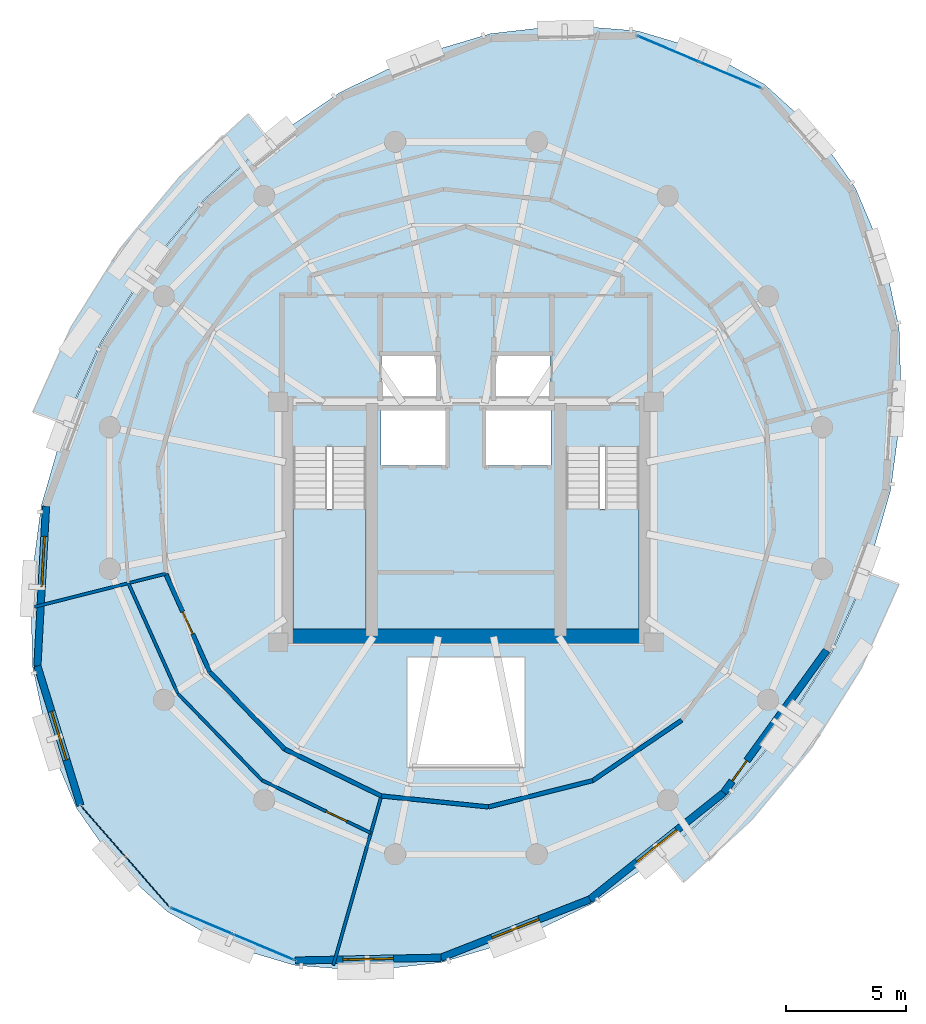
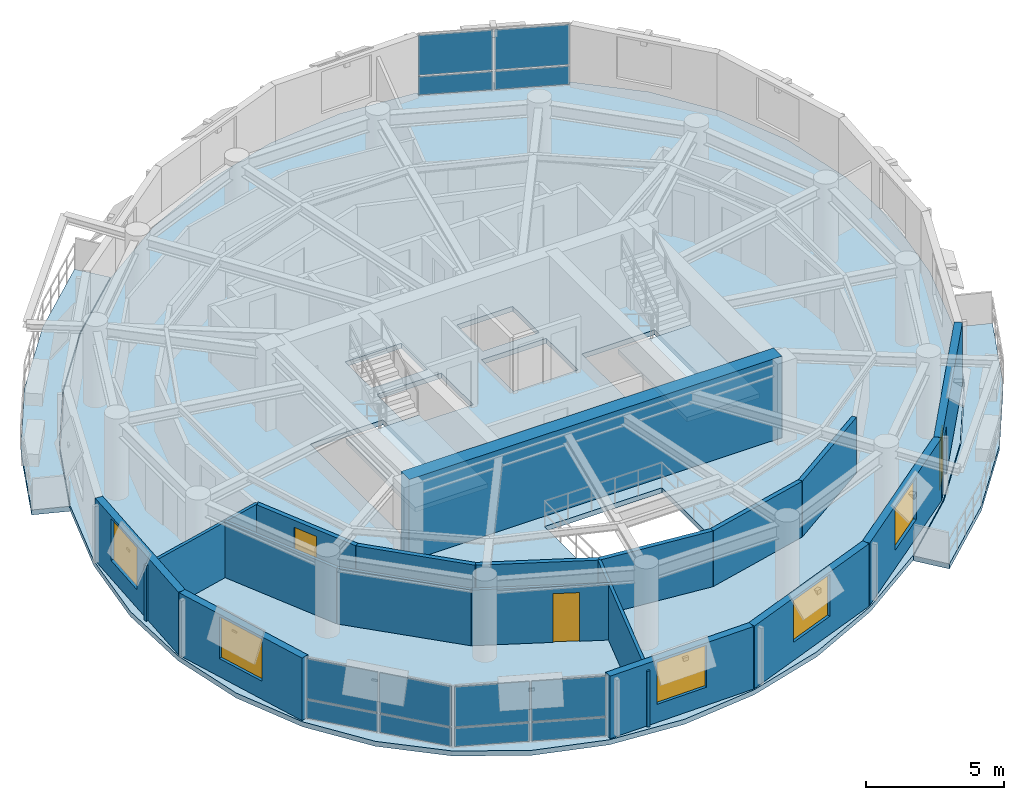
# One storey, part 6 of 11: 18 walls, 12 plates, 5 slabs, 5 windows, 3 doors, 8 openings, 5 elements without a shape of their own.
"""IFC4 building model written with IfcOpenShell, lengths in metres."""

from ifc_helpers import new_model, si_unit, direction, frame, frame_2d, origin, origin_2d, place, context, subcontext, project, spatial, polyline, rectangle, outline, extrude, material, layer, layer_set, type_object, element, fill, aggregate, save


model = new_model("IFC4")

# Units and contexts
model_context = context("Model", 3, precision=1e-05, world=origin(), true_north=direction((0.0, 1.0)))
body_context = subcontext(model_context, "Body", "Model", "MODEL_VIEW")
ifc_project = project(units=[si_unit("LENGTHUNIT", "METRE"), si_unit("AREAUNIT", "SQUARE_METRE"), si_unit("VOLUMEUNIT", "CUBIC_METRE"), si_unit("PLANEANGLEUNIT", "RADIAN"), si_unit("MASSUNIT", "GRAM", prefix="KILO"), si_unit("THERMODYNAMICTEMPERATUREUNIT", "KELVIN"), si_unit("POWERUNIT", "WATT")], contexts=[model_context])

# Site, building, storey
site_placement = place(None, origin())
site = spatial("IfcSite", under=ifc_project, at=site_placement, CompositionType="ELEMENT")
building_placement = place(site_placement, origin())
building = spatial("IfcBuilding", under=site, at=building_placement, Name="Ocrelia Relay Tower", CompositionType="ELEMENT")
storey_placement = place(building_placement, frame((0.0, 0.0, 255.60009765625)))
storey = spatial("IfcBuildingStorey", under=building, at=storey_placement, Name="L63", CompositionType="ELEMENT", Elevation=255.60009765625)

# Curtain wall, plates
ifc_material_1 = material(Name="Aluminium and solar-control low-E glass", Category="aluminium")
ifc_layer_1 = layer(ifc_material_1, 0.179931640625, Name="Aluminium and solar-control low-E glass")
ifc_layer_set_1 = layer_set([ifc_layer_1], Name="Aluminium and solar-control low-E glass")
curtain_wall_type = type_object("IfcCurtainWallType", Name="CW-SYS-Z4-EXEC", PredefinedType="NOTDEFINED", material=ifc_layer_set_1)
curtain_wall_1_placement = place(storey_placement, origin())
curtain_wall_1 = element("IfcCurtainWall", 1, at=curtain_wall_1_placement, inside=storey, type_object=curtain_wall_type, Name="L63 Elliptical Tower Curtain Wall Bay 01", PredefinedType="NOTDEFINED")
ifc_material_2 = material(Name="Clear double-glazed low-E glass", Category="glass")
ifc_layer_2 = layer(ifc_material_2, 0.031982421875, Name="Clear double-glazed low-E glass")
ifc_layer_set_2 = layer_set([ifc_layer_2], Name="Clear double-glazed low-E glass")
plate_type = type_object("IfcPlateType", Name="CW-SYS-Z4-EXEC-PNL", PredefinedType="CURTAIN_PANEL", material=ifc_layer_set_2)
plate_1_placement = place(storey_placement, frame((44.982666015625, 43.57763671875, 0.059814453125), z_axis=(0.0, 0.0, 1.0), x_axis=(-0.921199382172, 0.389090861221, 0.0)))
plate_1 = element("IfcPlate", 2, at=plate_1_placement, type_object=plate_type, Name="CW-Z4 panel 1.1", PredefinedType="CURTAIN_PANEL", context=body_context, shape_type="SweptSolid", body=[
    extrude(rectangle(XDim=2.727783203125, YDim=0.031982421875, at=origin_2d()), origin(), (0.0, 0.0, 1.0), 0.81005859375),
])
plate_2_placement = place(storey_placement, frame((44.982666015625, 43.57763671875, 0.929931640625), z_axis=(0.0, 0.0, 1.0), x_axis=(-0.921199382172, 0.389090861221, 0.0)))
plate_2 = element("IfcPlate", 3, at=plate_2_placement, type_object=plate_type, Name="CW-Z4 panel 1.2", PredefinedType="CURTAIN_PANEL", context=body_context, shape_type="SweptSolid", body=[
    extrude(rectangle(XDim=2.727783203125, YDim=0.031982421875, at=origin_2d()), origin(), (0.0, 0.0, 1.0), 1.77001953125),
])
plate_3_placement = place(storey_placement, frame((42.41015625, 44.6640625, 0.059814453125), z_axis=(0.0, 0.0, 1.0), x_axis=(-0.921199382172, 0.389090861221, 0.0)))
plate_3 = element("IfcPlate", 4, at=plate_3_placement, type_object=plate_type, Name="CW-Z4 panel 2.1", PredefinedType="CURTAIN_PANEL", context=body_context, shape_type="SweptSolid", body=[
    extrude(rectangle(XDim=2.727783203125, YDim=0.031982421875, at=origin_2d()), origin(), (0.0, 0.0, 1.0), 0.81005859375),
])
plate_4_placement = place(storey_placement, frame((42.41015625, 44.6640625, 0.929931640625), z_axis=(0.0, 0.0, 1.0), x_axis=(-0.921199382172, 0.389090861221, 0.0)))
plate_4 = element("IfcPlate", 5, at=plate_4_placement, type_object=plate_type, Name="CW-Z4 panel 2.2", PredefinedType="CURTAIN_PANEL", context=body_context, shape_type="SweptSolid", body=[
    extrude(rectangle(XDim=2.727783203125, YDim=0.031982421875, at=origin_2d()), origin(), (0.0, 0.0, 1.0), 1.77001953125),
])
aggregate(curtain_wall_1, [plate_1, plate_2, plate_3, plate_4])

curtain_wall_2_placement = place(storey_placement, origin())
curtain_wall_2 = element("IfcCurtainWall", 6, at=curtain_wall_2_placement, inside=storey, type_object=curtain_wall_type, Name="L63 Elliptical Tower Curtain Wall Bay 09", PredefinedType="NOTDEFINED")
plate_5_placement = place(storey_placement, frame((18.92041015625, 12.15478515625, 0.059814453125), z_axis=(0.0, 0.0, 1.0), x_axis=(0.658658709941, -0.752441827532, 0.0)))
plate_5 = element("IfcPlate", 7, at=plate_5_placement, type_object=plate_type, Name="CW-Z4 panel 1.1", PredefinedType="CURTAIN_PANEL", context=body_context, shape_type="SweptSolid", body=[
    extrude(rectangle(XDim=2.7275390625, YDim=0.031982421875, at=origin_2d()), origin(), (0.0, 0.0, 1.0), 0.81005859375),
])
plate_6_placement = place(storey_placement, frame((18.92041015625, 12.15478515625, 0.929931640625), z_axis=(0.0, 0.0, 1.0), x_axis=(0.658658709941, -0.752441827532, 0.0)))
plate_6 = element("IfcPlate", 8, at=plate_6_placement, type_object=plate_type, Name="CW-Z4 panel 1.2", PredefinedType="CURTAIN_PANEL", context=body_context, shape_type="SweptSolid", body=[
    extrude(rectangle(XDim=2.7275390625, YDim=0.031982421875, at=origin_2d()), origin(), (0.0, 0.0, 1.0), 1.77001953125),
])
plate_7_placement = place(storey_placement, frame((20.760009765625, 10.053466796875, 0.059814453125), z_axis=(0.0, 0.0, 1.0), x_axis=(0.658658709941, -0.752441827532, 0.0)))
plate_7 = element("IfcPlate", 9, at=plate_7_placement, type_object=plate_type, Name="CW-Z4 panel 2.1", PredefinedType="CURTAIN_PANEL", context=body_context, shape_type="SweptSolid", body=[
    extrude(rectangle(XDim=2.7275390625, YDim=0.031982421875, at=origin_2d()), origin(), (0.0, 0.0, 1.0), 0.81005859375),
])
plate_8_placement = place(storey_placement, frame((20.760009765625, 10.053466796875, 0.929931640625), z_axis=(0.0, 0.0, 1.0), x_axis=(0.658658709941, -0.752441827532, 0.0)))
plate_8 = element("IfcPlate", 10, at=plate_8_placement, type_object=plate_type, Name="CW-Z4 panel 2.2", PredefinedType="CURTAIN_PANEL", context=body_context, shape_type="SweptSolid", body=[
    extrude(rectangle(XDim=2.7275390625, YDim=0.031982421875, at=origin_2d()), origin(), (0.0, 0.0, 1.0), 1.77001953125),
])
aggregate(curtain_wall_2, [plate_5, plate_6, plate_7, plate_8])

curtain_wall_3_placement = place(storey_placement, origin())
curtain_wall_3 = element("IfcCurtainWall", 11, at=curtain_wall_3_placement, inside=storey, type_object=curtain_wall_type, Name="L63 Elliptical Tower Curtain Wall Bay 10", PredefinedType="NOTDEFINED")
plate_9_placement = place(storey_placement, frame((23.017333984375, 8.42236328125, 0.059814453125), z_axis=(0.0, 0.0, 1.0), x_axis=(0.921199382172, -0.389090861221, 0.0)))
plate_9 = element("IfcPlate", 12, at=plate_9_placement, type_object=plate_type, Name="CW-Z4 panel 1.1", PredefinedType="CURTAIN_PANEL", context=body_context, shape_type="SweptSolid", body=[
    extrude(rectangle(XDim=2.727783203125, YDim=0.031982421875, at=origin_2d()), origin(), (0.0, 0.0, 1.0), 0.81005859375),
])
plate_10_placement = place(storey_placement, frame((23.017333984375, 8.42236328125, 0.929931640625), z_axis=(0.0, 0.0, 1.0), x_axis=(0.921199382172, -0.389090861221, 0.0)))
plate_10 = element("IfcPlate", 13, at=plate_10_placement, type_object=plate_type, Name="CW-Z4 panel 1.2", PredefinedType="CURTAIN_PANEL", context=body_context, shape_type="SweptSolid", body=[
    extrude(rectangle(XDim=2.727783203125, YDim=0.031982421875, at=origin_2d()), origin(), (0.0, 0.0, 1.0), 1.77001953125),
])
plate_11_placement = place(storey_placement, frame((25.58984375, 7.3359375, 0.059814453125), z_axis=(0.0, 0.0, 1.0), x_axis=(0.921199382172, -0.389090861221, 0.0)))
plate_11 = element("IfcPlate", 14, at=plate_11_placement, type_object=plate_type, Name="CW-Z4 panel 2.1", PredefinedType="CURTAIN_PANEL", context=body_context, shape_type="SweptSolid", body=[
    extrude(rectangle(XDim=2.727783203125, YDim=0.031982421875, at=origin_2d()), origin(), (0.0, 0.0, 1.0), 0.81005859375),
])
plate_12_placement = place(storey_placement, frame((25.58984375, 7.3359375, 0.929931640625), z_axis=(0.0, 0.0, 1.0), x_axis=(0.921199382172, -0.389090861221, 0.0)))
plate_12 = element("IfcPlate", 15, at=plate_12_placement, type_object=plate_type, Name="CW-Z4 panel 2.2", PredefinedType="CURTAIN_PANEL", context=body_context, shape_type="SweptSolid", body=[
    extrude(rectangle(XDim=2.727783203125, YDim=0.031982421875, at=origin_2d()), origin(), (0.0, 0.0, 1.0), 1.77001953125),
])
aggregate(curtain_wall_3, [plate_9, plate_10, plate_11, plate_12])

# Slabs
ifc_material_3 = material(Name="Precast concrete C40/50", Category="concrete")
ifc_layer_3 = layer(ifc_material_3, 0.219970703125, Name="Precast concrete C40/50")
ifc_layer_set_3 = layer_set([ifc_layer_3], Name="Precast concrete C40/50")
slab_type_1 = type_object("IfcSlabType", Name="SL-BALC-220", PredefinedType="FLOOR", material=ifc_layer_set_3)
slab_1_placement = place(storey_placement, frame((0.0, 0.0, -0.22021484375)))
element("IfcSlab", 16, at=slab_1_placement, inside=storey, type_object=slab_type_1, Name="L63 Planted Loggia Balcony B1", PredefinedType="FLOOR", context=body_context, shape_type="SweptSolid", body=[
    extrude(outline(polyline([(25.8125, 40.871337890625), (24.4677734375, 39.638671875), (23.122802734375, 38.406005859375), (20.763671875, 35.56396484375), (18.80615234375, 32.431640625), (18.05810546875, 30.767578125), (17.31005859375, 29.103759765625), (16.001953125, 29.584228515625), (16.78955078125, 31.336181640625), (17.5771484375, 33.087890625), (19.634521484375, 36.3798828125), (22.114013671875, 39.36669921875), (23.52978515625, 40.66455078125), (24.94580078125, 41.96240234375), (25.8125, 40.871337890625)])), origin(), (0.0, 0.0, 1.0), 0.22021484375),
])
slab_2_placement = place(storey_placement, frame((0.0, 0.0, -0.22021484375)))
element("IfcSlab", 17, at=slab_2_placement, inside=storey, type_object=slab_type_1, Name="L63 Planted Loggia Balcony B2", PredefinedType="FLOOR", context=body_context, shape_type="SweptSolid", body=[
    extrude(outline(polyline([(42.1875, 11.128662109375), (43.5322265625, 12.361328125), (44.877197265625, 13.593994140625), (47.236328125, 16.43603515625), (49.19384765625, 19.568359375), (49.94189453125, 21.232421875), (50.68994140625, 22.896240234375), (51.998046875, 22.415771484375), (51.21044921875, 20.663818359375), (50.4228515625, 18.912109375), (48.365478515625, 15.6201171875), (45.885986328125, 12.63330078125), (44.47021484375, 11.33544921875), (43.05419921875, 10.03759765625), (42.1875, 11.128662109375)])), origin(), (0.0, 0.0, 1.0), 0.22021484375),
])
ifc_material_4 = material(Name="Concrete C50/60", Category="concrete")
ifc_layer_4 = layer(ifc_material_4, 0.219970703125, Name="Concrete C50/60")
ifc_layer_set_4 = layer_set([ifc_layer_4], Name="Concrete C50/60")
slab_type_2 = type_object("IfcSlabType", Name="SL-FLR-220", PredefinedType="FLOOR", material=ifc_layer_set_4)
slab_3_placement = place(storey_placement, frame((0.0, 0.0, -0.22021484375)))
element("IfcSlab", 18, at=slab_3_placement, inside=storey, type_object=slab_type_2, Name="L63 Elliptical Tower Floor Slab", PredefinedType="FLOOR", context=body_context, shape_type="SweptSolid", body=[
    extrude(outline(polyline([(46.416015625, 43.18359375), (43.93310546875, 44.580322265625), (41.1484375, 45.41259765625), (38.146728515625, 45.65478515625), (35.018798828125, 45.2998046875), (31.85986328125, 44.3583984375), (28.76611328125, 42.859130859375), (25.831298828125, 40.847900390625), (23.144775390625, 38.38525390625), (20.7880859375, 35.54638671875), (18.832763671875, 32.41748046875), (17.338134765625, 29.093505859375), (16.35009765625, 25.675537109375), (15.898193359375, 22.267333984375), (15.99609375, 18.972900390625), (16.641357421875, 15.8916015625), (17.81396484375, 13.11767578125), (19.478271484375, 10.735107421875), (21.583984375, 8.81640625), (24.06689453125, 7.419677734375), (26.8515625, 6.58740234375), (29.853271484375, 6.34521484375), (32.981201171875, 6.7001953125), (36.14013671875, 7.6416015625), (39.23388671875, 9.140869140625), (42.168701171875, 11.152099609375), (44.855224609375, 13.61474609375), (47.2119140625, 16.45361328125), (49.167236328125, 19.58251953125), (50.661865234375, 22.906494140625), (51.64990234375, 26.324462890625), (52.101806640625, 29.732666015625), (52.00390625, 33.027099609375), (51.358642578125, 36.1083984375), (50.18603515625, 38.88232421875), (48.521728515625, 41.264892578125), (46.416015625, 43.18359375)]), holes=[polyline([(26.81005859375, 28.14990234375), (26.81005859375, 20.550048828125), (29.85009765625, 20.550048828125), (29.85009765625, 28.14990234375), (26.81005859375, 28.14990234375)]), polyline([(38.159912109375, 28.14990234375), (38.159912109375, 20.550048828125), (41.199951171875, 20.550048828125), (41.199951171875, 28.14990234375), (38.159912109375, 28.14990234375)]), polyline([(30.4599609375, 27.35009765625), (33.159912109375, 27.35009765625), (33.159912109375, 29.64990234375), (30.4599609375, 29.64990234375), (30.4599609375, 27.35009765625)]), polyline([(34.840087890625, 27.35009765625), (37.5400390625, 27.35009765625), (37.5400390625, 29.64990234375), (34.840087890625, 29.64990234375), (34.840087890625, 27.35009765625)]), polyline([(30.5, 30.10009765625), (32.85009765625, 30.10009765625), (32.85009765625, 32.0), (30.5, 32.0), (30.5, 30.10009765625)]), polyline([(35.14990234375, 30.10009765625), (37.5, 30.10009765625), (37.5, 32.0), (35.14990234375, 32.0), (35.14990234375, 30.10009765625)]), polyline([(31.550048828125, 14.800048828125), (36.449951171875, 14.800048828125), (36.449951171875, 19.39990234375), (31.550048828125, 19.39990234375), (31.550048828125, 14.800048828125)])]), origin(), (0.0, 0.0, 1.0), 0.22021484375),
])

# Stair, slab
stair_type = type_object("IfcStairType", Name="ST-DL-1420-R180", PredefinedType="HALF_TURN_STAIR", material=ifc_material_4)
stair_1_placement = place(storey_placement, origin())
stair_1 = element("IfcStair", 19, at=stair_1_placement, inside=storey, type_object=stair_type, Name="L63 West Core Exit Stair ST1", PredefinedType="HALF_TURN_STAIR")
ifc_layer_5 = layer(ifc_material_4, 0.199951171875, Name="Concrete C50/60")
ifc_layer_set_5 = layer_set([ifc_layer_5], Name="Concrete C50/60")
slab_type_3 = type_object("IfcSlabType", Name="SL-LANDING-200", PredefinedType="LANDING", material=ifc_layer_set_5)
slab_4_placement = place(storey_placement, frame((0.0, 0.0, 1.599853515625)))
slab_4 = element("IfcSlab", 20, at=slab_4_placement, type_object=slab_type_3, Name="ST1 landing 1", PredefinedType="LANDING", context=body_context, shape_type="SweptSolid", body=[
    extrude(outline(polyline([(26.81005859375, 25.5400390625), (26.81005859375, 20.550048828125), (29.85009765625, 20.550048828125), (29.85009765625, 25.5400390625), (26.81005859375, 25.5400390625)])), origin(), (0.0, 0.0, 1.0), 0.199951171875),
])
aggregate(stair_1, [slab_4])

stair_2_placement = place(storey_placement, origin())
stair_2 = element("IfcStair", 21, at=stair_2_placement, inside=storey, type_object=stair_type, Name="L63 East Core Exit Stair ST2", PredefinedType="HALF_TURN_STAIR")
slab_5_placement = place(storey_placement, frame((0.0, 0.0, 1.599853515625)))
slab_5 = element("IfcSlab", 22, at=slab_5_placement, type_object=slab_type_3, Name="ST2 landing 1", PredefinedType="LANDING", context=body_context, shape_type="SweptSolid", body=[
    extrude(outline(polyline([(38.159912109375, 25.5400390625), (38.159912109375, 20.550048828125), (41.199951171875, 20.550048828125), (41.199951171875, 25.5400390625), (38.159912109375, 25.5400390625)])), origin(), (0.0, 0.0, 1.0), 0.199951171875),
])
aggregate(stair_2, [slab_5])

# Wall
ifc_layer_6 = layer(ifc_material_4, 0.60009765625, Name="Concrete C50/60")
ifc_layer_set_6 = layer_set([ifc_layer_6], Name="Concrete C50/60")
wall_type_1 = type_object("IfcWallType", Name="CW-CORE-600B", PredefinedType="SHEAR", material=ifc_layer_set_6)
wall_1_placement = place(storey_placement, frame((26.221923828125, 20.261962890625, 0.0), z_axis=(0.0, 0.0, 1.0), x_axis=(1.0, 0.0, 0.0)))
element("IfcWall", 23, at=wall_1_placement, inside=storey, type_object=wall_type_1, Name="L63 Core Shear Wall S", PredefinedType="SHEAR", context=body_context, shape_type="SweptSolid", body=[
    extrude(rectangle(XDim=15.566162109375, YDim=0.60009765625, at=frame_2d((7.783203125, 0.0))), origin(), (0.0, 0.0, 1.0), 3.599853515625),
])

# Wall, opening, door
ifc_material_5 = material(Name="Gypsum Fireboard Partition EI60", Category="gypsum")
ifc_layer_7 = layer(ifc_material_5, 0.179931640625, Name="Gypsum Fireboard Partition EI60")
ifc_layer_set_7 = layer_set([ifc_layer_7], Name="Gypsum Fireboard Partition EI60")
wall_type_2 = type_object("IfcWallType", Name="W-CORR-EI60-180", PredefinedType="PARTITIONING", material=ifc_layer_set_7)
wall_2_placement = place(storey_placement, frame((21.5205078125, 22.853759765625, 0.0), z_axis=(0.0, 0.0, 1.0), x_axis=(0.409126480148, -0.912477683695, 0.0)))
wall_2 = element("IfcWall", 24, at=wall_2_placement, inside=storey, type_object=wall_type_2, Name="L63 Diplomatic Sitting Salon Corridor Partition 1", PredefinedType="PARTITIONING", context=body_context, shape_type="SweptSolid", body=[
    extrude(rectangle(XDim=4.469482421875, YDim=0.179931640625, at=frame_2d((2.23486328125, 0.0))), origin(), (0.0, 0.0, 1.0), 2.4599609375),
])
opening_1_placement = place(wall_2_placement, frame((1.73486328125, 0.0, 0.0)))
opening_1 = element("IfcOpeningElement", 25, at=opening_1_placement, cuts=wall_2, Name="Opening D-RM100", PredefinedType="OPENING", context=body_context, shape_type="SweptSolid", body=[
    extrude(rectangle(XDim=1.0, YDim=2.14990234375, at=frame_2d((0.5, 1.074951171875))), frame((0.0, 0.10009765625, 0.0), z_axis=(0.0, -1.0, 0.0), x_axis=(1.0, 0.0, 0.0)), (0.0, 0.0, 1.0), 0.199951171875),
])
ifc_material_6 = material(Name="Acoustic oak veneer fire door", Category="wood")
door_type_1 = type_object("IfcDoorType", Name="DR-ROOM-FD60-1000", OperationType="NOTDEFINED", PredefinedType="DOOR", material=ifc_material_6)
door_1_placement = place(opening_1_placement, origin())
door_1 = element("IfcDoor", 26, at=door_1_placement, inside=storey, type_object=door_type_1, Name="L63 Diplomatic Sitting Salon Entrance Door", OperationType="SINGLE_SWING_LEFT", OverallHeight=2.14990234375, OverallWidth=1.0, PredefinedType="DOOR", context=body_context, shape_type="SweptSolid", body=[
    extrude(rectangle(XDim=1.0, YDim=2.14990234375, at=frame_2d((0.5, 1.074951171875))), frame((0.0, 0.02490234375, 0.0), z_axis=(0.0, -1.0, 0.0), x_axis=(1.0, 0.0, 0.0)), (0.0, 0.0, 1.0), 0.050048828125),
])
fill(opening_1, door_1)

# Walls
for number, where, z_axis, x_axis, name in (
    (27, (23.34912109375, 18.775390625, 0.0), (0.0, 0.0, 1.0), (0.696514254882, -0.717542955332, 0.0), "L63 Diplomatic Sitting Salon Corridor Partition 2"),
    (28, (26.46240234375, 15.568115234375, 0.0), (0.0, 0.0, 1.0), (0.89995051642, -0.43599205038, 0.0), "L63 Diplomatic Sitting Salon Corridor Partition 3"),
    (29, (30.48486328125, 13.619384765625, 0.0), (0.0, 0.0, 1.0), (0.994792520189, -0.10192076224, 0.0), "L63 Fellows Quiet Study Corridor Partition 1"),
):
    element("IfcWall", number, at=place(storey_placement, frame(where, z_axis=z_axis, x_axis=x_axis)), inside=storey, type_object=wall_type_2, Name=name, PredefinedType="PARTITIONING", context=body_context, shape_type="SweptSolid", body=[
        extrude(rectangle(XDim=4.4697265625, YDim=0.179931640625, at=frame_2d((2.23486328125, 0.0))), origin(), (0.0, 0.0, 1.0), 2.4599609375),
    ])
wall_3_placement = place(storey_placement, frame((34.931396484375, 13.163818359375, 0.0), z_axis=(0.0, 0.0, 1.0), x_axis=(0.969665095123, 0.244437319777, 0.0)))
element("IfcWall", 30, at=wall_3_placement, inside=storey, type_object=wall_type_2, Name="L63 Fellows Quiet Study Corridor Partition 2", PredefinedType="PARTITIONING", context=body_context, shape_type="SweptSolid", body=[
    extrude(rectangle(XDim=4.469482421875, YDim=0.179931640625, at=frame_2d((2.23486328125, 0.0))), origin(), (0.0, 0.0, 1.0), 2.4599609375),
])
wall_4_placement = place(storey_placement, frame((39.265380859375, 14.25634765625, 0.0), z_axis=(0.0, 0.0, 1.0), x_axis=(0.827595393885, 0.561325096552, 0.0)))
element("IfcWall", 31, at=wall_4_placement, inside=storey, type_object=wall_type_2, Name="L63 Fellows Quiet Study Corridor Partition 3", PredefinedType="PARTITIONING", context=body_context, shape_type="SweptSolid", body=[
    extrude(rectangle(XDim=4.4697265625, YDim=0.179931640625, at=frame_2d((2.23486328125, 0.0))), origin(), (0.0, 0.0, 1.0), 2.4599609375),
])

# Wall, opening, window
ifc_material_7 = material(Name="Precast concrete C40/50 with oxide terracotta", Category="masonry")
ifc_layer_8 = layer(ifc_material_7, 0.300048828125, Name="Precast concrete C40/50 with oxide terracotta")
ifc_layer_set_8 = layer_set([ifc_layer_8], Name="Precast concrete C40/50 with oxide terracotta")
wall_type_3 = type_object("IfcWallType", Name="W-EXT-TERR-300", PredefinedType="SOLIDWALL", material=ifc_layer_set_8)
wall_5_placement = place(storey_placement, frame((16.549072265625, 25.655029296875, 0.0), z_axis=(0.0, 0.0, 1.0), x_axis=(-0.054024777516, -0.998539595316, 0.0)))
wall_5 = element("IfcWall", 32, at=wall_5_placement, inside=storey, type_object=wall_type_3, Name="L63 Oxide Terracotta Facade Wall 07", PredefinedType="SOLIDWALL", context=body_context, shape_type="SweptSolid", body=[
    extrude(rectangle(XDim=6.64306640625, YDim=0.300048828125, at=frame_2d((3.321533203125, 0.0))), origin(), (0.0, 0.0, 1.0), 2.760009765625),
])
opening_2_placement = place(wall_5_placement, frame((1.2509765625, 0.0, 0.800048828125)))
opening_2 = element("IfcOpeningElement", 33, at=opening_2_placement, cuts=wall_5, Name="Opening W-07", PredefinedType="OPENING", context=body_context, shape_type="SweptSolid", body=[
    extrude(rectangle(XDim=2.10009765625, YDim=1.85009765625, at=frame_2d((1.050048828125, 0.925048828125))), frame((0.0, 0.16015625, 0.0), z_axis=(0.0, -1.0, 0.0), x_axis=(1.0, 0.0, 0.0)), (0.0, 0.0, 1.0), 0.320068359375),
])
window_type = type_object("IfcWindowType", Name="WIN-Z4-2100x2200", PartitioningType="DOUBLE_PANEL_VERTICAL", PredefinedType="WINDOW", material=ifc_material_2)
window_1_placement = place(opening_2_placement, origin())
window_1 = element("IfcWindow", 34, at=window_1_placement, inside=storey, type_object=window_type, Name="L63 Facade Module Window 07", OverallHeight=1.85009765625, OverallWidth=2.10009765625, PartitioningType="SINGLE_PANEL", PredefinedType="WINDOW", context=body_context, shape_type="SweptSolid", body=[
    extrude(rectangle(XDim=2.10009765625, YDim=1.85009765625, at=frame_2d((1.050048828125, 0.925048828125))), frame((0.0, 0.030029296875, 0.0), z_axis=(0.0, -1.0, 0.0), x_axis=(1.0, 0.0, 0.0)), (0.0, 0.0, 1.0), 0.06005859375),
])
fill(opening_2, window_1)

wall_6_placement = place(storey_placement, frame((16.190185546875, 19.021728515625, 0.0), z_axis=(0.0, 0.0, 1.0), x_axis=(0.295175258965, -0.955443125725, 0.0)))
wall_6 = element("IfcWall", 35, at=wall_6_placement, inside=storey, type_object=wall_type_3, Name="L63 Oxide Terracotta Facade Wall 08", PredefinedType="SOLIDWALL", context=body_context, shape_type="SweptSolid", body=[
    extrude(rectangle(XDim=6.061767578125, YDim=0.300048828125, at=frame_2d((3.03076171875, 0.0))), origin(), (0.0, 0.0, 1.0), 2.760009765625),
])
opening_3_placement = place(wall_6_placement, frame((1.98095703125, 0.0, 0.800048828125)))
opening_3 = element("IfcOpeningElement", 36, at=opening_3_placement, cuts=wall_6, Name="Opening W-07", PredefinedType="OPENING", context=body_context, shape_type="SweptSolid", body=[
    extrude(rectangle(XDim=2.10009765625, YDim=1.85009765625, at=frame_2d((1.050048828125, 0.925048828125))), frame((0.0, 0.16015625, 0.0), z_axis=(0.0, -1.0, 0.0), x_axis=(1.0, 0.0, 0.0)), (0.0, 0.0, 1.0), 0.320068359375),
])
window_2_placement = place(opening_3_placement, origin())
window_2 = element("IfcWindow", 37, at=window_2_placement, inside=storey, type_object=window_type, Name="L63 Facade Module Window 08", OverallHeight=1.85009765625, OverallWidth=2.10009765625, PartitioningType="SINGLE_PANEL", PredefinedType="WINDOW", context=body_context, shape_type="SweptSolid", body=[
    extrude(rectangle(XDim=2.10009765625, YDim=1.85009765625, at=frame_2d((1.050048828125, 0.925048828125))), frame((0.0, 0.030029296875, 0.0), z_axis=(0.0, -1.0, 0.0), x_axis=(1.0, 0.0, 0.0)), (0.0, 0.0, 1.0), 0.06005859375),
])
fill(opening_3, window_2)

wall_7_placement = place(storey_placement, frame((26.906005859375, 6.77978515625, 0.0), z_axis=(0.0, 0.0, 1.0), x_axis=(0.999804463841, 0.019774581742, 0.0)))
wall_7 = element("IfcWall", 38, at=wall_7_placement, inside=storey, type_object=wall_type_3, Name="L63 Oxide Terracotta Facade Wall 11", PredefinedType="SOLIDWALL", context=body_context, shape_type="SweptSolid", body=[
    extrude(rectangle(XDim=6.06201171875, YDim=0.300048828125, at=frame_2d((3.031005859375, 0.0))), origin(), (0.0, 0.0, 1.0), 2.760009765625),
])
opening_4_placement = place(wall_7_placement, frame((1.98095703125, 0.0, 0.800048828125)))
opening_4 = element("IfcOpeningElement", 39, at=opening_4_placement, cuts=wall_7, Name="Opening W-07", PredefinedType="OPENING", context=body_context, shape_type="SweptSolid", body=[
    extrude(rectangle(XDim=2.10009765625, YDim=1.85009765625, at=frame_2d((1.050048828125, 0.925048828125))), frame((0.0, 0.16015625, 0.0), z_axis=(0.0, -1.0, 0.0), x_axis=(1.0, 0.0, 0.0)), (0.0, 0.0, 1.0), 0.320068359375),
])
window_3_placement = place(opening_4_placement, origin())
window_3 = element("IfcWindow", 40, at=window_3_placement, inside=storey, type_object=window_type, Name="L63 Facade Module Window 11", OverallHeight=1.85009765625, OverallWidth=2.10009765625, PartitioningType="SINGLE_PANEL", PredefinedType="WINDOW", context=body_context, shape_type="SweptSolid", body=[
    extrude(rectangle(XDim=2.10009765625, YDim=1.85009765625, at=frame_2d((1.050048828125, 0.925048828125))), frame((0.0, 0.030029296875, 0.0), z_axis=(0.0, -1.0, 0.0), x_axis=(1.0, 0.0, 0.0)), (0.0, 0.0, 1.0), 0.06005859375),
])
fill(opening_4, window_3)

wall_8_placement = place(storey_placement, frame((32.966796875, 6.899658203125, 0.0), z_axis=(0.0, 0.0, 1.0), x_axis=(0.931076763195, 0.364823328527, 0.0)))
wall_8 = element("IfcWall", 41, at=wall_8_placement, inside=storey, type_object=wall_type_3, Name="L63 Oxide Terracotta Facade Wall 12", PredefinedType="SOLIDWALL", context=body_context, shape_type="SweptSolid", body=[
    extrude(rectangle(XDim=6.64306640625, YDim=0.300048828125, at=frame_2d((3.321533203125, 0.0))), origin(), (0.0, 0.0, 1.0), 2.760009765625),
])
opening_5_placement = place(wall_8_placement, frame((2.27197265625, 0.0, 0.800048828125)))
opening_5 = element("IfcOpeningElement", 42, at=opening_5_placement, cuts=wall_8, Name="Opening W-07", PredefinedType="OPENING", context=body_context, shape_type="SweptSolid", body=[
    extrude(rectangle(XDim=2.10009765625, YDim=1.85009765625, at=frame_2d((1.050048828125, 0.925048828125))), frame((0.0, 0.16015625, 0.0), z_axis=(0.0, -1.0, 0.0), x_axis=(1.0, 0.0, 0.0)), (0.0, 0.0, 1.0), 0.320068359375),
])
window_4_placement = place(opening_5_placement, origin())
window_4 = element("IfcWindow", 43, at=window_4_placement, inside=storey, type_object=window_type, Name="L63 Facade Module Window 12", OverallHeight=1.85009765625, OverallWidth=2.10009765625, PartitioningType="SINGLE_PANEL", PredefinedType="WINDOW", context=body_context, shape_type="SweptSolid", body=[
    extrude(rectangle(XDim=2.10009765625, YDim=1.85009765625, at=frame_2d((1.050048828125, 0.925048828125))), frame((0.0, 0.030029296875, 0.0), z_axis=(0.0, -1.0, 0.0), x_axis=(1.0, 0.0, 0.0)), (0.0, 0.0, 1.0), 0.06005859375),
])
fill(opening_5, window_4)

wall_9_placement = place(storey_placement, frame((39.152099609375, 9.3232421875, 0.0), z_axis=(0.0, 0.0, 1.0), x_axis=(0.781972270078, 0.623313218879, 0.0)))
wall_9 = element("IfcWall", 44, at=wall_9_placement, inside=storey, type_object=wall_type_3, Name="L63 Oxide Terracotta Facade Wall 13", PredefinedType="SOLIDWALL", context=body_context, shape_type="SweptSolid", body=[
    extrude(rectangle(XDim=7.115234375, YDim=0.300048828125, at=frame_2d((3.5576171875, 0.0))), origin(), (0.0, 0.0, 1.0), 2.760009765625),
])
opening_6_placement = place(wall_9_placement, frame((2.508056640625, 0.0, 0.800048828125)))
opening_6 = element("IfcOpeningElement", 45, at=opening_6_placement, cuts=wall_9, Name="Opening W-07", PredefinedType="OPENING", context=body_context, shape_type="SweptSolid", body=[
    extrude(rectangle(XDim=2.10009765625, YDim=1.85009765625, at=frame_2d((1.050048828125, 0.925048828125))), frame((0.0, 0.16015625, 0.0), z_axis=(0.0, -1.0, 0.0), x_axis=(1.0, 0.0, 0.0)), (0.0, 0.0, 1.0), 0.320068359375),
])
window_5_placement = place(opening_6_placement, origin())
window_5 = element("IfcWindow", 46, at=window_5_placement, inside=storey, type_object=window_type, Name="L63 Facade Module Window 13", OverallHeight=1.85009765625, OverallWidth=2.10009765625, PartitioningType="SINGLE_PANEL", PredefinedType="WINDOW", context=body_context, shape_type="SweptSolid", body=[
    extrude(rectangle(XDim=2.10009765625, YDim=1.85009765625, at=frame_2d((1.050048828125, 0.925048828125))), frame((0.0, 0.030029296875, 0.0), z_axis=(0.0, -1.0, 0.0), x_axis=(1.0, 0.0, 0.0)), (0.0, 0.0, 1.0), 0.06005859375),
])
fill(opening_6, window_5)

# Wall, opening, door
wall_10_placement = place(storey_placement, frame((44.716064453125, 13.75830078125, 0.0), z_axis=(0.0, 0.0, 1.0), x_axis=(0.585646986442, 0.810566226333, 0.0)))
wall_10 = element("IfcWall", 47, at=wall_10_placement, inside=storey, type_object=wall_type_3, Name="L63 Oxide Terracotta Facade Wall 14", PredefinedType="SOLIDWALL", context=body_context, shape_type="SweptSolid", body=[
    extrude(rectangle(XDim=7.293212890625, YDim=0.300048828125, at=frame_2d((3.646484375, 0.0))), origin(), (0.0, 0.0, 1.0), 2.760009765625),
])
opening_7_placement = place(wall_10_placement, frame((0.590087890625, 0.0, 0.0)))
opening_7 = element("IfcOpeningElement", 48, at=opening_7_placement, cuts=wall_10, Name="Opening DB-105", PredefinedType="OPENING", context=body_context, shape_type="SweptSolid", body=[
    extrude(rectangle(XDim=1.050048828125, YDim=2.14990234375, at=frame_2d((0.52490234375, 1.074951171875))), frame((0.0, 0.16015625, 0.0), z_axis=(0.0, -1.0, 0.0), x_axis=(1.0, 0.0, 0.0)), (0.0, 0.0, 1.0), 0.320068359375),
])
ifc_material_8 = material(Name="Thermally broken aluminium and clear glass", Category="aluminium")
door_type_2 = type_object("IfcDoorType", Name="DR-BALC-1050", OperationType="NOTDEFINED", PredefinedType="DOOR", material=ifc_material_8)
door_2_placement = place(opening_7_placement, origin())
door_2 = element("IfcDoor", 49, at=door_2_placement, inside=storey, type_object=door_type_2, Name="L63 Planted Loggia Balcony Door B2", OperationType="SINGLE_SWING_LEFT", OverallHeight=2.14990234375, OverallWidth=1.050048828125, PredefinedType="DOOR", context=body_context, shape_type="SweptSolid", body=[
    extrude(rectangle(XDim=1.050048828125, YDim=2.14990234375, at=frame_2d((0.52490234375, 1.074951171875))), frame((0.0, 0.02490234375, 0.0), z_axis=(0.0, -1.0, 0.0), x_axis=(1.0, 0.0, 0.0)), (0.0, 0.0, 1.0), 0.050048828125),
])
fill(opening_7, door_2)

# Walls
ifc_material_9 = material(Name="Acoustic Fireboard Partition EI60", Category="gypsum")
ifc_layer_9 = layer(ifc_material_9, 0.125, Name="Acoustic Fireboard Partition EI60")
ifc_layer_set_9 = layer_set([ifc_layer_9], Name="Acoustic Fireboard Partition EI60")
wall_type_4 = type_object("IfcWallType", Name="W-PART-125", PredefinedType="PARTITIONING", material=ifc_layer_set_9)
wall_11_placement = place(storey_placement, frame((21.5205078125, 22.853759765625, 0.0), z_axis=(0.0, 0.0, 1.0), x_axis=(-0.969655144504, -0.24447678977, 0.0)))
element("IfcWall", 50, at=wall_11_placement, inside=storey, type_object=wall_type_4, Name="L63 Principal Reading Gallery Radial Partition", PredefinedType="PARTITIONING", context=body_context, shape_type="SweptSolid", body=[
    extrude(rectangle(XDim=5.621337890625, YDim=0.125, at=frame_2d((2.810546875, 0.0))), origin(), (0.0, 0.0, 1.0), 2.4599609375),
])
wall_12_placement = place(storey_placement, frame((30.48486328125, 13.619384765625, 0.0), z_axis=(0.0, 0.0, 1.0), x_axis=(-0.273121338455, -0.961979591509, 0.0)))
element("IfcWall", 51, at=wall_12_placement, inside=storey, type_object=wall_type_4, Name="L63 Diplomatic Sitting Salon Radial Partition", PredefinedType="PARTITIONING", context=body_context, shape_type="SweptSolid", body=[
    extrude(rectangle(XDim=7.318359375, YDim=0.125, at=frame_2d((3.6591796875, 0.0))), origin(), (0.0, 0.0, 1.0), 2.4599609375),
])
for number, where, z_axis, x_axis, name in (
    (52, (19.968994140625, 22.462646484375, 0.0), (0.0, 0.0, 1.0), (0.409156336171, -0.912464296601, 0.0), "L63 Perimeter Diplomatic Sitting Salon Mid-Ring Partition 1"),
    (53, (22.025146484375, 17.877197265625, 0.0), (0.0, 0.0, 1.0), (0.696510692472, -0.717546413323, 0.0), "L63 Perimeter Diplomatic Sitting Salon Mid-Ring Partition 2"),
):
    element("IfcWall", number, at=place(storey_placement, frame(where, z_axis=z_axis, x_axis=x_axis)), inside=storey, type_object=wall_type_4, Name=name, PredefinedType="PARTITIONING", context=body_context, shape_type="SweptSolid", body=[
        extrude(rectangle(XDim=5.025390625, YDim=0.125, at=frame_2d((2.5126953125, 0.0))), origin(), (0.0, 0.0, 1.0), 2.4599609375),
    ])

# Wall, opening, door
wall_13_placement = place(storey_placement, frame((25.525390625, 14.271240234375, 0.0), z_axis=(0.0, 0.0, 1.0), x_axis=(0.899944095425, -0.436005303992, 0.0)))
wall_13 = element("IfcWall", 54, at=wall_13_placement, inside=storey, type_object=wall_type_4, Name="L63 Perimeter Diplomatic Sitting Salon Mid-Ring Partition 3", PredefinedType="PARTITIONING", context=body_context, shape_type="SweptSolid", body=[
    extrude(rectangle(XDim=5.025634765625, YDim=0.125, at=frame_2d((2.5126953125, 0.0))), origin(), (0.0, 0.0, 1.0), 2.4599609375),
])
opening_8_placement = place(wall_13_placement, frame((2.966552734375, 0.0, 0.0)))
opening_8 = element("IfcOpeningElement", 55, at=opening_8_placement, cuts=wall_13, Name="Opening D-RM95", PredefinedType="OPENING", context=body_context, shape_type="SweptSolid", body=[
    extrude(rectangle(XDim=0.949951171875, YDim=2.14990234375, at=frame_2d((0.47509765625, 1.074951171875))), frame((0.0, 0.072509765625, 0.0), z_axis=(0.0, -1.0, 0.0), x_axis=(1.0, 0.0, 0.0)), (0.0, 0.0, 1.0), 0.14501953125),
])
door_type_3 = type_object("IfcDoorType", Name="DR-ROOM-950", OperationType="NOTDEFINED", PredefinedType="DOOR", material=ifc_material_6)
door_3_placement = place(opening_8_placement, origin())
door_3 = element("IfcDoor", 56, at=door_3_placement, inside=storey, type_object=door_type_3, Name="L63 Perimeter Diplomatic Sitting Salon Connecting Door", OperationType="SINGLE_SWING_RIGHT", OverallHeight=2.14990234375, OverallWidth=0.949951171875, PredefinedType="DOOR", context=body_context, shape_type="SweptSolid", body=[
    extrude(rectangle(XDim=0.949951171875, YDim=2.14990234375, at=frame_2d((0.47509765625, 1.074951171875))), frame((0.0, 0.02490234375, 0.0), z_axis=(0.0, -1.0, 0.0), x_axis=(1.0, 0.0, 0.0)), (0.0, 0.0, 1.0), 0.050048828125),
])
fill(opening_8, door_3)

save(model, "model.ifc")
